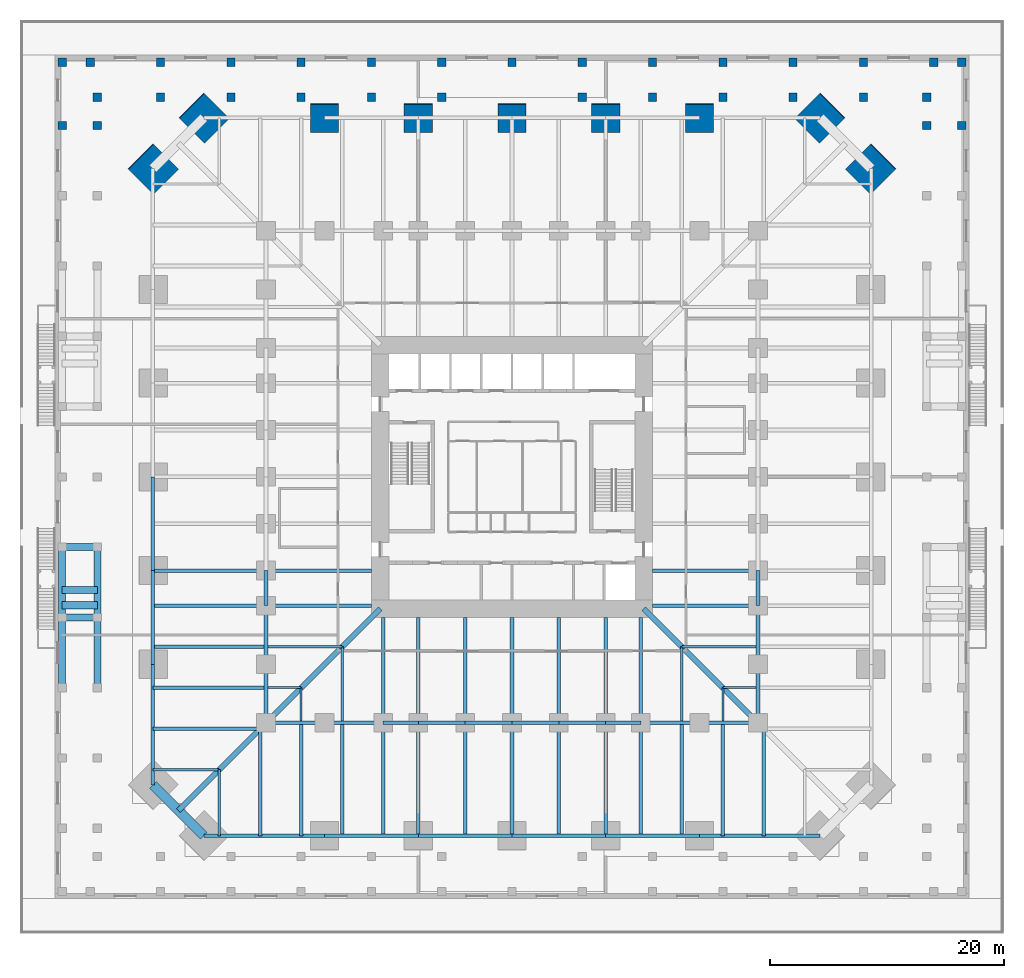
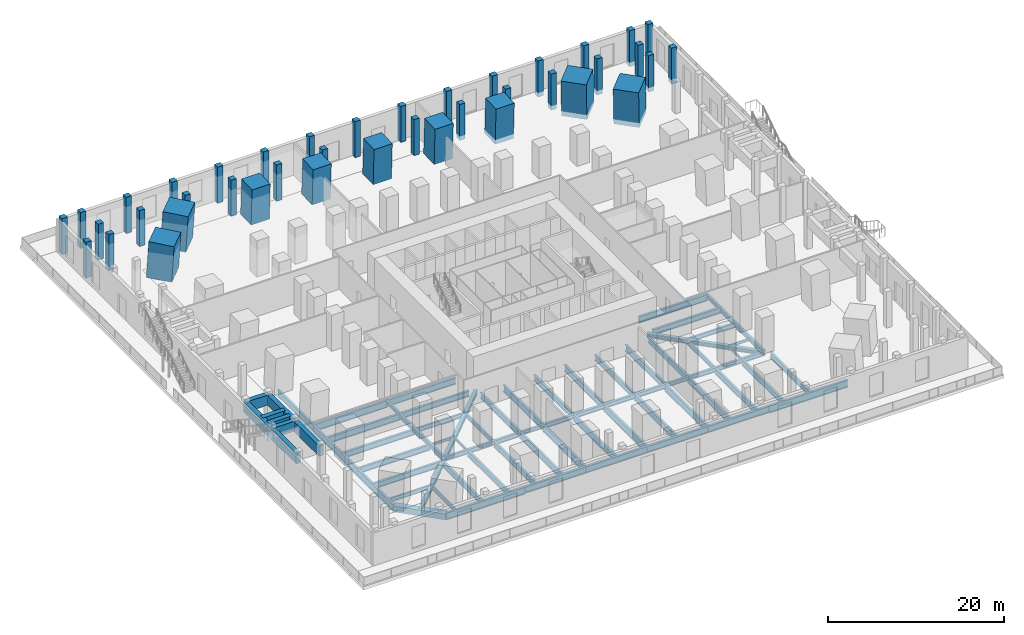
# One storey, part 8 of 22: 74 beams, 40 columns.
"""IFC4 building model written with IfcOpenShell, lengths in metres."""

from ifc_helpers import new_model, si_unit, direction, frame, origin, origin_2d, place, context, subcontext, project, spatial, rectangle, hollow_rectangle, i_section, extrude, material, material_profile, profile_set, type_object, element, save


model = new_model("IFC4")

# Units and contexts
model_context = context("Model", 3, precision=1e-05, world=origin(), true_north=direction((0.0, 1.0)))
body_context = subcontext(model_context, "Body", "Model", "MODEL_VIEW")
ifc_project = project(units=[si_unit("LENGTHUNIT", "METRE"), si_unit("AREAUNIT", "SQUARE_METRE"), si_unit("VOLUMEUNIT", "CUBIC_METRE"), si_unit("PLANEANGLEUNIT", "RADIAN"), si_unit("MASSUNIT", "GRAM", prefix="KILO")], contexts=[model_context])

# Site, building, storey
site_placement = place(None, origin())
site = spatial("IfcSite", under=ifc_project, at=site_placement, CompositionType="ELEMENT")
building_placement = place(site_placement, origin())
building = spatial("IfcBuilding", under=site, at=building_placement, Name="Peilmerk Tower", CompositionType="ELEMENT")
storey_placement = place(building_placement, frame((0.0, 0.0, 6.0)))
storey = spatial("IfcBuildingStorey", under=building, at=storey_placement, Name="L01", CompositionType="ELEMENT", Elevation=6.0)

# Columns
ifc_material_1 = material(Name="Concrete C90/105", Category="concrete")
ifc_material_profile_1 = material_profile(ifc_material_1, rectangle(XDim=3.0, YDim=3.0, at=origin_2d()), Name="RC 3000x3000")
ifc_profile_set_1 = profile_set([ifc_material_profile_1], Name="Concrete C90/105")
column_type_1 = type_object("IfcColumnType", Name="MC1 3000x3000 encased mega column", PredefinedType="COLUMN", material=ifc_profile_set_1)
for number, where, z_axis, x_axis, name in (
    (1, (26.304931640625, 30.65478515625, 0.0), (-0.040266583883, -0.040266583883, 0.998377285621), (0.707106781187, -0.707106781187, 0.0), "Mega column MC1 NE_N L01"),
    (2, (30.65478515625, 26.304931640625, 0.0), (-0.040266583883, -0.040266583883, 0.998377285621), (0.707106781187, -0.707106781187, 0.0), "Mega column MC1 NE_E L01"),
    (3, (-30.65478515625, 26.304931640625, 0.0), (0.040266583883, -0.040266583883, 0.998377285621), (0.707106781187, 0.707106781187, 0.0), "Mega column MC1 NW_W L01"),
    (4, (-26.304931640625, 30.65478515625, 0.0), (0.040266583883, -0.040266583883, 0.998377285621), (0.707106781187, 0.707106781187, 0.0), "Mega column MC1 NW_N L01"),
):
    element("IfcColumn", number, at=place(storey_placement, frame(where, z_axis=z_axis, x_axis=x_axis)), inside=storey, type_object=column_type_1, Name=name, PredefinedType="COLUMN", context=body_context, shape_type="SweptSolid", body=[
        extrude(rectangle(XDim=3.0, YDim=3.0, at=origin_2d()), origin(), (0.0, 0.0, 1.0), 5.008056640625),
    ])
ifc_material_2 = material(Name="Concrete C55/67", Category="concrete")
ifc_material_profile_2 = material_profile(ifc_material_2, rectangle(XDim=0.699951171875, YDim=0.699951171875, at=origin_2d()), Name="RC 700x700")
ifc_profile_set_2 = profile_set([ifc_material_profile_2], Name="Concrete C55/67")
column_type_2 = type_object("IfcColumnType", Name="PC1 700x700 podium column", PredefinedType="COLUMN", material=ifc_profile_set_2)
for number, where, z_axis, x_axis, name in (
    (5, (-35.39990234375, 30.0, 0.0), (0.0, 0.0, 1.0), (1.0, 0.0, 0.0), "Podium column ring A L01"),
    (6, (-35.39990234375, 32.39990234375, 0.0), (0.0, 0.0, 1.0), (1.0, 0.0, 0.0), "Podium column ring A L01"),
    (7, (-30.0, 32.39990234375, 0.0), (0.0, 0.0, 1.0), (1.0, 0.0, 0.0), "Podium column ring A L01"),
    (8, (-24.0, 32.39990234375, 0.0), (0.0, 0.0, 1.0), (1.0, 0.0, 0.0), "Podium column ring A L01"),
    (9, (-18.0, 32.39990234375, 0.0), (0.0, 0.0, 1.0), (1.0, 0.0, 0.0), "Podium column ring A L01"),
    (10, (-12.0, 32.39990234375, 0.0), (0.0, 0.0, 1.0), (1.0, 0.0, 0.0), "Podium column ring A L01"),
    (11, (-6.0, 32.39990234375, 0.0), (0.0, 0.0, 1.0), (1.0, 0.0, 0.0), "Podium column ring A L01"),
    (12, (6.0, 32.39990234375, 0.0), (0.0, 0.0, 1.0), (1.0, 0.0, 0.0), "Podium column ring A L01"),
    (13, (12.0, 32.39990234375, 0.0), (0.0, 0.0, 1.0), (1.0, 0.0, 0.0), "Podium column ring A L01"),
    (14, (18.0, 32.39990234375, 0.0), (0.0, 0.0, 1.0), (1.0, 0.0, 0.0), "Podium column ring A L01"),
    (15, (24.0, 32.39990234375, 0.0), (0.0, 0.0, 1.0), (1.0, 0.0, 0.0), "Podium column ring A L01"),
    (16, (30.0, 32.39990234375, 0.0), (0.0, 0.0, 1.0), (1.0, 0.0, 0.0), "Podium column ring A L01"),
    (17, (35.39990234375, 30.0, 0.0), (0.0, 0.0, 1.0), (1.0, 0.0, 0.0), "Podium column ring A L01"),
    (18, (35.39990234375, 32.39990234375, 0.0), (0.0, 0.0, 1.0), (1.0, 0.0, 0.0), "Podium column ring A L01"),
    (19, (-38.39990234375, 30.0, 0.0), (0.0, 0.0, 1.0), (1.0, 0.0, 0.0), "Podium column ring B L01"),
    (20, (-38.39990234375, 35.39990234375, 0.0), (0.0, 0.0, 1.0), (1.0, 0.0, 0.0), "Podium column ring B L01"),
    (21, (-36.0, 35.39990234375, 0.0), (0.0, 0.0, 1.0), (1.0, 0.0, 0.0), "Podium column ring B L01"),
    (22, (-30.0, 35.39990234375, 0.0), (0.0, 0.0, 1.0), (1.0, 0.0, 0.0), "Podium column ring B L01"),
    (23, (-24.0, 35.39990234375, 0.0), (0.0, 0.0, 1.0), (1.0, 0.0, 0.0), "Podium column ring B L01"),
    (24, (-18.0, 35.39990234375, 0.0), (0.0, 0.0, 1.0), (1.0, 0.0, 0.0), "Podium column ring B L01"),
    (25, (-12.0, 35.39990234375, 0.0), (0.0, 0.0, 1.0), (1.0, 0.0, 0.0), "Podium column ring B L01"),
    (26, (-6.0, 35.39990234375, 0.0), (0.0, 0.0, 1.0), (1.0, 0.0, 0.0), "Podium column ring B L01"),
    (27, (0.0, 35.39990234375, 0.0), (0.0, 0.0, 1.0), (1.0, 0.0, 0.0), "Podium column ring B L01"),
    (28, (6.0, 35.39990234375, 0.0), (0.0, 0.0, 1.0), (1.0, 0.0, 0.0), "Podium column ring B L01"),
    (29, (12.0, 35.39990234375, 0.0), (0.0, 0.0, 1.0), (1.0, 0.0, 0.0), "Podium column ring B L01"),
    (30, (18.0, 35.39990234375, 0.0), (0.0, 0.0, 1.0), (1.0, 0.0, 0.0), "Podium column ring B L01"),
    (31, (24.0, 35.39990234375, 0.0), (0.0, 0.0, 1.0), (1.0, 0.0, 0.0), "Podium column ring B L01"),
    (32, (30.0, 35.39990234375, 0.0), (0.0, 0.0, 1.0), (1.0, 0.0, 0.0), "Podium column ring B L01"),
    (33, (36.0, 35.39990234375, 0.0), (0.0, 0.0, 1.0), (1.0, 0.0, 0.0), "Podium column ring B L01"),
    (34, (38.39990234375, 30.0, 0.0), (0.0, 0.0, 1.0), (1.0, 0.0, 0.0), "Podium column ring B L01"),
    (35, (38.39990234375, 35.39990234375, 0.0), (0.0, 0.0, 1.0), (1.0, 0.0, 0.0), "Podium column ring B L01"),
):
    element("IfcColumn", number, at=place(storey_placement, frame(where, z_axis=z_axis, x_axis=x_axis)), inside=storey, type_object=column_type_2, Name=name, PredefinedType="COLUMN", context=body_context, shape_type="SweptSolid", body=[
        extrude(rectangle(XDim=0.699951171875, YDim=0.699951171875, at=origin_2d()), origin(), (0.0, 0.0, 1.0), 5.0),
    ])
ifc_material_profile_3 = material_profile(ifc_material_1, rectangle(XDim=2.39990234375, YDim=2.39990234375, at=origin_2d()), Name="RC 2400x2400")
ifc_profile_set_3 = profile_set([ifc_material_profile_3], Name="Concrete C90/105")
column_type_3 = type_object("IfcColumnType", Name="SC1 2400x2400 encased perimeter column", PredefinedType="COLUMN", material=ifc_profile_set_3)
for number, where, z_axis, x_axis, name in (
    (36, (0.0, 30.65478515625, 0.0), (0.0, -0.040299267708, 0.999187654559), (1.0, 0.0, 0.0), "Perimeter column N+0 L01"),
    (37, (8.0, 30.65478515625, 0.0), (0.0, -0.040299267708, 0.999187654559), (1.0, 0.0, 0.0), "Perimeter column N-8 L01"),
    (38, (-8.0, 30.65478515625, 0.0), (0.0, -0.040299267708, 0.999187654559), (1.0, 0.0, 0.0), "Perimeter column N+8 L01"),
    (39, (16.0, 30.65478515625, 0.0), (0.0, -0.040299267708, 0.999187654559), (1.0, 0.0, 0.0), "Perimeter column N-16 L01"),
    (40, (-16.0, 30.65478515625, 0.0), (0.0, -0.040299267708, 0.999187654559), (1.0, 0.0, 0.0), "Perimeter column N+16 L01"),
):
    element("IfcColumn", number, at=place(storey_placement, frame(where, z_axis=z_axis, x_axis=x_axis)), inside=storey, type_object=column_type_3, Name=name, PredefinedType="COLUMN", context=body_context, shape_type="SweptSolid", body=[
        extrude(rectangle(XDim=2.39990234375, YDim=2.39990234375, at=origin_2d()), origin(), (0.0, 0.0, 1.0), 5.004150390625),
    ])

# Beams
ifc_material_3 = material(Name="Steel S355", Category="steel")
ifc_material_profile_4 = material_profile(ifc_material_3, i_section(OverallWidth=0.219970703125, OverallDepth=0.60009765625, WebThickness=0.011962890625, FlangeThickness=0.01904296875, at=origin_2d()), Name="IPE 600")
ifc_profile_set_4 = profile_set([ifc_material_profile_4], Name="Steel S355")
beam_type_1 = type_object("IfcBeamType", Name="B10 IPE 600 floor beam", PredefinedType="BEAM", material=ifc_profile_set_4)
for number, where, z_axis, x_axis, name in (
    (41, (14.5, -14.5, -0.5), (0.0, -1.0, 0.0), (1.0, 0.0, 0.0), "Floor beam L01"),
    (42, (14.5, -14.5, -0.5), (1.0, 0.0, 0.0), (0.0, 1.0, 0.0), "Floor beam L01"),
    (43, (-14.5, -14.5, -0.5), (0.0, -1.0, 0.0), (1.0, 0.0, 0.0), "Floor beam L01"),
    (44, (-14.5, -14.5, -0.5), (-1.0, 0.0, 0.0), (0.0, -1.0, 0.0), "Floor beam L01"),
):
    element("IfcBeam", number, at=place(storey_placement, frame(where, z_axis=z_axis, x_axis=x_axis)), inside=storey, type_object=beam_type_1, Name=name, PredefinedType="BEAM", context=body_context, shape_type="SweptSolid", body=[
        extrude(i_section(OverallWidth=0.219970703125, OverallDepth=0.60009765625, WebThickness=0.011962890625, FlangeThickness=0.01904296875, at=origin_2d()), origin(), (0.0, 0.0, 1.0), 6.347412109375),
    ])
ifc_material_profile_5 = material_profile(ifc_material_3, i_section(OverallWidth=0.169921875, OverallDepth=0.360107421875, WebThickness=0.008056640625, FlangeThickness=0.0126953125, at=origin_2d()), Name="IPE 360")
ifc_profile_set_5 = profile_set([ifc_material_profile_5], Name="Steel S355")
beam_type_2 = type_object("IfcBeamType", Name="B11 IPE 360 floor beam", PredefinedType="BEAM", material=ifc_profile_set_5)
for number, where, z_axis, x_axis, name in (
    (45, (18.0, -18.0, -0.3798828125), (0.0, -1.0, 0.0), (1.0, 0.0, 0.0), "Floor beam L01"),
    (46, (18.0, -18.0, -0.3798828125), (1.0, 0.0, 0.0), (0.0, 1.0, 0.0), "Floor beam L01"),
    (47, (-18.0, -18.0, -0.3798828125), (0.0, -1.0, 0.0), (1.0, 0.0, 0.0), "Floor beam L01"),
    (48, (-18.0, -18.0, -0.3798828125), (-1.0, 0.0, 0.0), (0.0, -1.0, 0.0), "Floor beam L01"),
):
    element("IfcBeam", number, at=place(storey_placement, frame(where, z_axis=z_axis, x_axis=x_axis)), inside=storey, type_object=beam_type_2, Name=name, PredefinedType="BEAM", context=body_context, shape_type="SweptSolid", body=[
        extrude(i_section(OverallWidth=0.169921875, OverallDepth=0.360107421875, WebThickness=0.008056640625, FlangeThickness=0.0126953125, at=origin_2d()), origin(), (0.0, 0.0, 1.0), 2.847412109375),
    ])
ifc_material_profile_6 = material_profile(ifc_material_3, i_section(OverallWidth=0.2099609375, OverallDepth=0.550048828125, WebThickness=0.010986328125, FlangeThickness=0.01708984375, at=origin_2d()), Name="IPE 550")
ifc_profile_set_6 = profile_set([ifc_material_profile_6], Name="Steel S355")
beam_type_3 = type_object("IfcBeamType", Name="B12 IPE 550 floor beam", PredefinedType="BEAM", material=ifc_profile_set_6)
for number, where, z_axis, x_axis, name in (
    (49, (-25.0, -25.0, -0.47509765625), (0.0, -1.0, 0.0), (1.0, 0.0, 0.0), "Floor beam L01"),
    (50, (-25.0, -25.0, -0.47509765625), (-1.0, 0.0, 0.0), (0.0, -1.0, 0.0), "Floor beam L01"),
):
    element("IfcBeam", number, at=place(storey_placement, frame(where, z_axis=z_axis, x_axis=x_axis)), inside=storey, type_object=beam_type_3, Name=name, PredefinedType="BEAM", context=body_context, shape_type="SweptSolid", body=[
        extrude(i_section(OverallWidth=0.2099609375, OverallDepth=0.550048828125, WebThickness=0.010986328125, FlangeThickness=0.01708984375, at=origin_2d()), origin(), (0.0, 0.0, 1.0), 5.65478515625),
    ])
ifc_material_profile_7 = material_profile(ifc_material_3, i_section(OverallWidth=0.300048828125, OverallDepth=1.0, WebThickness=0.01904296875, FlangeThickness=0.035888671875, at=origin_2d()), Name="HEB 1000")
ifc_profile_set_7 = profile_set([ifc_material_profile_7], Name="Steel S355")
beam_type_4 = type_object("IfcBeamType", Name="B13 HEB 1000 edge beam", PredefinedType="SPANDREL", material=ifc_profile_set_7)
for number, where, z_axis, x_axis, name in (
    (51, (-26.304931640625, -30.65478515625, -0.699951171875), (1.0, 0.0, 0.0), (0.0, 1.0, 0.0), "Edge beam L01"),
    (52, (16.0, -30.65478515625, -0.699951171875), (1.0, 0.0, 0.0), (0.0, 1.0, 0.0), "Edge beam L01"),
    (53, (-30.65478515625, -16.0, -0.699951171875), (0.0, -1.0, 0.0), (1.0, 0.0, 0.0), "Edge beam L01"),
):
    element("IfcBeam", number, at=place(storey_placement, frame(where, z_axis=z_axis, x_axis=x_axis)), inside=storey, type_object=beam_type_4, Name=name, PredefinedType="SPANDREL", context=body_context, shape_type="SweptSolid", body=[
        extrude(i_section(OverallWidth=0.300048828125, OverallDepth=1.0, WebThickness=0.01904296875, FlangeThickness=0.035888671875, at=origin_2d()), origin(), (0.0, 0.0, 1.0), 10.304931640625),
    ])
ifc_material_profile_8 = material_profile(ifc_material_3, i_section(OverallWidth=0.300048828125, OverallDepth=0.989990234375, WebThickness=0.0166015625, FlangeThickness=0.031005859375, at=origin_2d()), Name="HEA 1000")
ifc_profile_set_8 = profile_set([ifc_material_profile_8], Name="Steel S355")
beam_type_5 = type_object("IfcBeamType", Name="B14 HEA 1000 floor girder", PredefinedType="BEAM", material=ifc_profile_set_8)
for number, where, z_axis, x_axis, name in (
    (54, (-8.0, -21.0, -0.695068359375), (0.0, -1.0, 0.0), (1.0, 0.0, 0.0), "Floor girder L01"),
    (55, (0.0, -21.0, -0.695068359375), (0.0, -1.0, 0.0), (1.0, 0.0, 0.0), "Floor girder L01"),
    (56, (8.0, -21.0, -0.695068359375), (0.0, -1.0, 0.0), (1.0, 0.0, 0.0), "Floor girder L01"),
    (57, (-21.0, -8.0, -0.695068359375), (-1.0, 0.0, 0.0), (0.0, -1.0, 0.0), "Floor girder L01"),
):
    element("IfcBeam", number, at=place(storey_placement, frame(where, z_axis=z_axis, x_axis=x_axis)), inside=storey, type_object=beam_type_5, Name=name, PredefinedType="BEAM", context=body_context, shape_type="SweptSolid", body=[
        extrude(i_section(OverallWidth=0.300048828125, OverallDepth=0.989990234375, WebThickness=0.0166015625, FlangeThickness=0.031005859375, at=origin_2d()), origin(), (0.0, 0.0, 1.0), 9.65478515625),
    ])
ifc_material_profile_9 = material_profile(ifc_material_3, i_section(OverallWidth=0.302001953125, OverallDepth=0.909912109375, WebThickness=0.02099609375, FlangeThickness=0.0400390625, at=origin_2d()), Name="HEM 900")
ifc_profile_set_9 = profile_set([ifc_material_profile_9], Name="Steel S355")
beam_type_6 = type_object("IfcBeamType", Name="B2 HEM 900 edge beam", PredefinedType="SPANDREL", material=ifc_profile_set_9)
for number, where, z_axis, x_axis, name in (
    (58, (-16.0, -30.65478515625, -0.655029296875), (1.0, 0.0, 0.0), (0.0, 1.0, 0.0), "Edge beam L01"),
    (59, (-8.0, -30.65478515625, -0.655029296875), (1.0, 0.0, 0.0), (0.0, 1.0, 0.0), "Edge beam L01"),
    (60, (0.0, -30.65478515625, -0.655029296875), (1.0, 0.0, 0.0), (0.0, 1.0, 0.0), "Edge beam L01"),
    (61, (8.0, -30.65478515625, -0.655029296875), (1.0, 0.0, 0.0), (0.0, 1.0, 0.0), "Edge beam L01"),
    (62, (-30.65478515625, 0.0, -0.655029296875), (0.0, -1.0, 0.0), (1.0, 0.0, 0.0), "Edge beam L01"),
    (63, (-30.65478515625, -8.0, -0.655029296875), (0.0, -1.0, 0.0), (1.0, 0.0, 0.0), "Edge beam L01"),
):
    element("IfcBeam", number, at=place(storey_placement, frame(where, z_axis=z_axis, x_axis=x_axis)), inside=storey, type_object=beam_type_6, Name=name, PredefinedType="SPANDREL", context=body_context, shape_type="SweptSolid", body=[
        extrude(i_section(OverallWidth=0.302001953125, OverallDepth=0.909912109375, WebThickness=0.02099609375, FlangeThickness=0.0400390625, at=origin_2d()), origin(), (0.0, 0.0, 1.0), 8.0),
    ])
ifc_material_profile_10 = material_profile(ifc_material_3, i_section(OverallWidth=0.300048828125, OverallDepth=0.7900390625, WebThickness=0.014892578125, FlangeThickness=0.028076171875, at=origin_2d()), Name="HEA 800")
ifc_profile_set_10 = profile_set([ifc_material_profile_10], Name="Steel S355")
beam_type_7 = type_object("IfcBeamType", Name="B3 HEA 800 floor beam", PredefinedType="BEAM", material=ifc_profile_set_10)
for number, where, z_axis, x_axis, name in (
    (64, (12.0, -11.0, -0.594970703125), (1.0, 0.0, 0.0), (0.0, 1.0, 0.0), "Floor beam L01"),
    (65, (-11.0, -12.0, -0.594970703125), (0.0, -1.0, 0.0), (1.0, 0.0, 0.0), "Floor beam L01"),
    (66, (-4.0, -12.0, -0.594970703125), (0.0, -1.0, 0.0), (1.0, 0.0, 0.0), "Floor beam L01"),
    (67, (4.0, -12.0, -0.594970703125), (0.0, -1.0, 0.0), (1.0, 0.0, 0.0), "Floor beam L01"),
    (68, (11.0, -12.0, -0.594970703125), (0.0, -1.0, 0.0), (1.0, 0.0, 0.0), "Floor beam L01"),
    (69, (-12.0, -11.0, -0.594970703125), (-1.0, 0.0, 0.0), (0.0, -1.0, 0.0), "Floor beam L01"),
):
    element("IfcBeam", number, at=place(storey_placement, frame(where, z_axis=z_axis, x_axis=x_axis)), inside=storey, type_object=beam_type_7, Name=name, PredefinedType="BEAM", context=body_context, shape_type="SweptSolid", body=[
        extrude(i_section(OverallWidth=0.300048828125, OverallDepth=0.7900390625, WebThickness=0.014892578125, FlangeThickness=0.028076171875, at=origin_2d()), origin(), (0.0, 0.0, 1.0), 9.0),
    ])
for number, where, z_axis, x_axis, name in (
    (70, (14.5, -21.152587890625, -0.594970703125), (0.0, -1.0, 0.0), (1.0, 0.0, 0.0), "Floor beam L01"),
    (71, (18.0, -21.152587890625, -0.594970703125), (0.0, -1.0, 0.0), (1.0, 0.0, 0.0), "Floor beam L01"),
):
    element("IfcBeam", number, at=place(storey_placement, frame(where, z_axis=z_axis, x_axis=x_axis)), inside=storey, type_object=beam_type_7, Name=name, PredefinedType="BEAM", context=body_context, shape_type="SweptSolid", body=[
        extrude(i_section(OverallWidth=0.300048828125, OverallDepth=0.7900390625, WebThickness=0.014892578125, FlangeThickness=0.028076171875, at=origin_2d()), origin(), (0.0, 0.0, 1.0), 9.502197265625),
    ])
beam_1_placement = place(storey_placement, frame((21.5, -21.5, -0.594970703125), z_axis=(0.0, -1.0, 0.0), x_axis=(1.0, 0.0, 0.0)))
element("IfcBeam", 72, at=beam_1_placement, inside=storey, type_object=beam_type_7, Name="Floor beam L01", PredefinedType="BEAM", context=body_context, shape_type="SweptSolid", body=[
    extrude(i_section(OverallWidth=0.300048828125, OverallDepth=0.7900390625, WebThickness=0.014892578125, FlangeThickness=0.028076171875, at=origin_2d()), origin(), (0.0, 0.0, 1.0), 9.15478515625),
])
for number, where, z_axis, x_axis, name in (
    (73, (-14.5, -21.152587890625, -0.594970703125), (0.0, -1.0, 0.0), (1.0, 0.0, 0.0), "Floor beam L01"),
    (74, (-21.152587890625, -14.5, -0.594970703125), (-1.0, 0.0, 0.0), (0.0, -1.0, 0.0), "Floor beam L01"),
    (75, (-18.0, -21.152587890625, -0.594970703125), (0.0, -1.0, 0.0), (1.0, 0.0, 0.0), "Floor beam L01"),
    (76, (-21.152587890625, -18.0, -0.594970703125), (-1.0, 0.0, 0.0), (0.0, -1.0, 0.0), "Floor beam L01"),
):
    element("IfcBeam", number, at=place(storey_placement, frame(where, z_axis=z_axis, x_axis=x_axis)), inside=storey, type_object=beam_type_7, Name=name, PredefinedType="BEAM", context=body_context, shape_type="SweptSolid", body=[
        extrude(i_section(OverallWidth=0.300048828125, OverallDepth=0.7900390625, WebThickness=0.014892578125, FlangeThickness=0.028076171875, at=origin_2d()), origin(), (0.0, 0.0, 1.0), 9.502197265625),
    ])
for number, where, z_axis, x_axis, name in (
    (77, (-21.5, -21.5, -0.594970703125), (0.0, -1.0, 0.0), (1.0, 0.0, 0.0), "Floor beam L01"),
    (78, (-21.5, -21.5, -0.594970703125), (-1.0, 0.0, 0.0), (0.0, -1.0, 0.0), "Floor beam L01"),
):
    element("IfcBeam", number, at=place(storey_placement, frame(where, z_axis=z_axis, x_axis=x_axis)), inside=storey, type_object=beam_type_7, Name=name, PredefinedType="BEAM", context=body_context, shape_type="SweptSolid", body=[
        extrude(i_section(OverallWidth=0.300048828125, OverallDepth=0.7900390625, WebThickness=0.014892578125, FlangeThickness=0.028076171875, at=origin_2d()), origin(), (0.0, 0.0, 1.0), 9.15478515625),
    ])
ifc_material_profile_11 = material_profile(ifc_material_3, i_section(OverallWidth=0.300048828125, OverallDepth=0.889892578125, WebThickness=0.01611328125, FlangeThickness=0.030029296875, at=origin_2d()), Name="HEA 900")
ifc_profile_set_11 = profile_set([ifc_material_profile_11], Name="Steel S355")
beam_type_8 = type_object("IfcBeamType", Name="B4 HEA 900 floor beam", PredefinedType="BEAM", material=ifc_profile_set_11)
beam_2_placement = place(storey_placement, frame((12.0, -8.0, -0.64501953125), z_axis=(1.0, 0.0, 0.0), x_axis=(0.0, 1.0, 0.0)))
element("IfcBeam", 79, at=beam_2_placement, inside=storey, type_object=beam_type_8, Name="Floor girder L01", PredefinedType="BEAM", context=body_context, shape_type="SweptSolid", body=[
    extrude(i_section(OverallWidth=0.300048828125, OverallDepth=0.889892578125, WebThickness=0.01611328125, FlangeThickness=0.030029296875, at=origin_2d()), origin(), (0.0, 0.0, 1.0), 9.0),
])
beam_3_placement = place(storey_placement, frame((-11.0, -21.0, -0.64501953125), z_axis=(0.0, -1.0, 0.0), x_axis=(1.0, 0.0, 0.0)))
element("IfcBeam", 80, at=beam_3_placement, inside=storey, type_object=beam_type_8, Name="Floor beam L01", PredefinedType="BEAM", context=body_context, shape_type="SweptSolid", body=[
    extrude(i_section(OverallWidth=0.300048828125, OverallDepth=0.889892578125, WebThickness=0.01611328125, FlangeThickness=0.030029296875, at=origin_2d()), origin(), (0.0, 0.0, 1.0), 9.65478515625),
])
beam_4_placement = place(storey_placement, frame((-8.0, -12.0, -0.64501953125), z_axis=(0.0, -1.0, 0.0), x_axis=(1.0, 0.0, 0.0)))
element("IfcBeam", 81, at=beam_4_placement, inside=storey, type_object=beam_type_8, Name="Floor girder L01", PredefinedType="BEAM", context=body_context, shape_type="SweptSolid", body=[
    extrude(i_section(OverallWidth=0.300048828125, OverallDepth=0.889892578125, WebThickness=0.01611328125, FlangeThickness=0.030029296875, at=origin_2d()), origin(), (0.0, 0.0, 1.0), 9.0),
])
beam_5_placement = place(storey_placement, frame((-4.0, -21.0, -0.64501953125), z_axis=(0.0, -1.0, 0.0), x_axis=(1.0, 0.0, 0.0)))
element("IfcBeam", 82, at=beam_5_placement, inside=storey, type_object=beam_type_8, Name="Floor beam L01", PredefinedType="BEAM", context=body_context, shape_type="SweptSolid", body=[
    extrude(i_section(OverallWidth=0.300048828125, OverallDepth=0.889892578125, WebThickness=0.01611328125, FlangeThickness=0.030029296875, at=origin_2d()), origin(), (0.0, 0.0, 1.0), 9.65478515625),
])
beam_6_placement = place(storey_placement, frame((0.0, -12.0, -0.64501953125), z_axis=(0.0, -1.0, 0.0), x_axis=(1.0, 0.0, 0.0)))
element("IfcBeam", 83, at=beam_6_placement, inside=storey, type_object=beam_type_8, Name="Floor girder L01", PredefinedType="BEAM", context=body_context, shape_type="SweptSolid", body=[
    extrude(i_section(OverallWidth=0.300048828125, OverallDepth=0.889892578125, WebThickness=0.01611328125, FlangeThickness=0.030029296875, at=origin_2d()), origin(), (0.0, 0.0, 1.0), 9.0),
])
beam_7_placement = place(storey_placement, frame((4.0, -21.0, -0.64501953125), z_axis=(0.0, -1.0, 0.0), x_axis=(1.0, 0.0, 0.0)))
element("IfcBeam", 84, at=beam_7_placement, inside=storey, type_object=beam_type_8, Name="Floor beam L01", PredefinedType="BEAM", context=body_context, shape_type="SweptSolid", body=[
    extrude(i_section(OverallWidth=0.300048828125, OverallDepth=0.889892578125, WebThickness=0.01611328125, FlangeThickness=0.030029296875, at=origin_2d()), origin(), (0.0, 0.0, 1.0), 9.65478515625),
])
beam_8_placement = place(storey_placement, frame((8.0, -12.0, -0.64501953125), z_axis=(0.0, -1.0, 0.0), x_axis=(1.0, 0.0, 0.0)))
element("IfcBeam", 85, at=beam_8_placement, inside=storey, type_object=beam_type_8, Name="Floor girder L01", PredefinedType="BEAM", context=body_context, shape_type="SweptSolid", body=[
    extrude(i_section(OverallWidth=0.300048828125, OverallDepth=0.889892578125, WebThickness=0.01611328125, FlangeThickness=0.030029296875, at=origin_2d()), origin(), (0.0, 0.0, 1.0), 9.0),
])
beam_9_placement = place(storey_placement, frame((11.0, -21.0, -0.64501953125), z_axis=(0.0, -1.0, 0.0), x_axis=(1.0, 0.0, 0.0)))
element("IfcBeam", 86, at=beam_9_placement, inside=storey, type_object=beam_type_8, Name="Floor beam L01", PredefinedType="BEAM", context=body_context, shape_type="SweptSolid", body=[
    extrude(i_section(OverallWidth=0.300048828125, OverallDepth=0.889892578125, WebThickness=0.01611328125, FlangeThickness=0.030029296875, at=origin_2d()), origin(), (0.0, 0.0, 1.0), 9.65478515625),
])
beam_10_placement = place(storey_placement, frame((-12.0, -8.0, -0.64501953125), z_axis=(-1.0, 0.0, 0.0), x_axis=(0.0, -1.0, 0.0)))
element("IfcBeam", 87, at=beam_10_placement, inside=storey, type_object=beam_type_8, Name="Floor girder L01", PredefinedType="BEAM", context=body_context, shape_type="SweptSolid", body=[
    extrude(i_section(OverallWidth=0.300048828125, OverallDepth=0.889892578125, WebThickness=0.01611328125, FlangeThickness=0.030029296875, at=origin_2d()), origin(), (0.0, 0.0, 1.0), 9.0),
])
beam_11_placement = place(storey_placement, frame((-21.0, -11.0, -0.64501953125), z_axis=(-1.0, 0.0, 0.0), x_axis=(0.0, -1.0, 0.0)))
element("IfcBeam", 88, at=beam_11_placement, inside=storey, type_object=beam_type_8, Name="Floor beam L01", PredefinedType="BEAM", context=body_context, shape_type="SweptSolid", body=[
    extrude(i_section(OverallWidth=0.300048828125, OverallDepth=0.889892578125, WebThickness=0.01611328125, FlangeThickness=0.030029296875, at=origin_2d()), origin(), (0.0, 0.0, 1.0), 9.65478515625),
])
ifc_material_profile_12 = material_profile(ifc_material_3, i_section(OverallWidth=0.304931640625, OverallDepth=0.6201171875, WebThickness=0.02099609375, FlangeThickness=0.0400390625, at=origin_2d()), Name="HEM 600")
ifc_profile_set_12 = profile_set([ifc_material_profile_12], Name="Steel S355")
beam_type_9 = type_object("IfcBeamType", Name="B6 HEM 600 ring girder", PredefinedType="BEAM", material=ifc_profile_set_12)
for number, where, z_axis, x_axis, name in (
    (89, (21.0, -21.0, -0.510009765625), (0.0, 1.0, 0.0), (-1.0, 0.0, 0.0), "Ring girder L01"),
    (90, (21.0, -16.0, -0.510009765625), (0.0, 1.0, 0.0), (-1.0, 0.0, 0.0), "Ring girder L01"),
    (91, (-21.0, -21.0, -0.510009765625), (1.0, 0.0, 0.0), (0.0, 1.0, 0.0), "Ring girder L01"),
    (92, (-16.0, -21.0, -0.510009765625), (1.0, 0.0, 0.0), (0.0, 1.0, 0.0), "Ring girder L01"),
):
    element("IfcBeam", number, at=place(storey_placement, frame(where, z_axis=z_axis, x_axis=x_axis)), inside=storey, type_object=beam_type_9, Name=name, PredefinedType="BEAM", context=body_context, shape_type="SweptSolid", body=[
        extrude(i_section(OverallWidth=0.304931640625, OverallDepth=0.6201171875, WebThickness=0.02099609375, FlangeThickness=0.0400390625, at=origin_2d()), origin(), (0.0, 0.0, 1.0), 5.0),
    ])
for number, where, z_axis, x_axis, name in (
    (93, (-8.0, -21.0, -0.510009765625), (1.0, 0.0, 0.0), (0.0, 1.0, 0.0), "Ring girder L01"),
    (94, (-4.0, -21.0, -0.510009765625), (1.0, 0.0, 0.0), (0.0, 1.0, 0.0), "Ring girder L01"),
    (95, (0.0, -21.0, -0.510009765625), (1.0, 0.0, 0.0), (0.0, 1.0, 0.0), "Ring girder L01"),
    (96, (4.0, -21.0, -0.510009765625), (1.0, 0.0, 0.0), (0.0, 1.0, 0.0), "Ring girder L01"),
):
    element("IfcBeam", number, at=place(storey_placement, frame(where, z_axis=z_axis, x_axis=x_axis)), inside=storey, type_object=beam_type_9, Name=name, PredefinedType="BEAM", context=body_context, shape_type="SweptSolid", body=[
        extrude(i_section(OverallWidth=0.304931640625, OverallDepth=0.6201171875, WebThickness=0.02099609375, FlangeThickness=0.0400390625, at=origin_2d()), origin(), (0.0, 0.0, 1.0), 4.0),
    ])
for number, where, z_axis, x_axis, name in (
    (97, (11.0, -21.0, -0.510009765625), (1.0, 0.0, 0.0), (0.0, 1.0, 0.0), "Ring girder L01"),
    (98, (16.0, -21.0, -0.510009765625), (1.0, 0.0, 0.0), (0.0, 1.0, 0.0), "Ring girder L01"),
    (99, (-21.0, -11.0, -0.510009765625), (0.0, -1.0, 0.0), (1.0, 0.0, 0.0), "Ring girder L01"),
    (100, (-21.0, -16.0, -0.510009765625), (0.0, -1.0, 0.0), (1.0, 0.0, 0.0), "Ring girder L01"),
):
    element("IfcBeam", number, at=place(storey_placement, frame(where, z_axis=z_axis, x_axis=x_axis)), inside=storey, type_object=beam_type_9, Name=name, PredefinedType="BEAM", context=body_context, shape_type="SweptSolid", body=[
        extrude(i_section(OverallWidth=0.304931640625, OverallDepth=0.6201171875, WebThickness=0.02099609375, FlangeThickness=0.0400390625, at=origin_2d()), origin(), (0.0, 0.0, 1.0), 5.0),
    ])
ifc_material_profile_13 = material_profile(ifc_material_3, i_section(OverallWidth=0.305908203125, OverallDepth=0.52392578125, WebThickness=0.02099609375, FlangeThickness=0.0400390625, at=origin_2d()), Name="HEM 500")
ifc_profile_set_13 = profile_set([ifc_material_profile_13], Name="Steel S355")
beam_type_10 = type_object("IfcBeamType", Name="B7 HEM 500 ring girder", PredefinedType="BEAM", material=ifc_profile_set_13)
for number, where, z_axis, x_axis, name in (
    (101, (21.0, -11.0, -0.4619140625), (0.0, 1.0, 0.0), (-1.0, 0.0, 0.0), "Ring girder L01"),
    (102, (-11.0, -21.0, -0.4619140625), (1.0, 0.0, 0.0), (0.0, 1.0, 0.0), "Ring girder L01"),
    (103, (8.0, -21.0, -0.4619140625), (1.0, 0.0, 0.0), (0.0, 1.0, 0.0), "Ring girder L01"),
    (104, (-21.0, -8.0, -0.4619140625), (0.0, -1.0, 0.0), (1.0, 0.0, 0.0), "Ring girder L01"),
):
    element("IfcBeam", number, at=place(storey_placement, frame(where, z_axis=z_axis, x_axis=x_axis)), inside=storey, type_object=beam_type_10, Name=name, PredefinedType="BEAM", context=body_context, shape_type="SweptSolid", body=[
        extrude(i_section(OverallWidth=0.305908203125, OverallDepth=0.52392578125, WebThickness=0.02099609375, FlangeThickness=0.0400390625, at=origin_2d()), origin(), (0.0, 0.0, 1.0), 3.0),
    ])
ifc_material_4 = material(Name="Steel S460", Category="steel")
ifc_material_profile_14 = material_profile(ifc_material_4, hollow_rectangle(XDim=0.800048828125, YDim=0.800048828125, WallThickness=0.080078125, at=origin_2d()), Name="BOX 800x800x80")
ifc_profile_set_14 = profile_set([ifc_material_profile_14], Name="Steel S460")
beam_type_11 = type_object("IfcBeamType", Name="B8 BOX 800x800x80 notch beam", PredefinedType="SPANDREL", material=ifc_profile_set_14)
beam_12_placement = place(storey_placement, frame((-26.304931640625, -30.65478515625, -0.60009765625), z_axis=(-0.707106781187, 0.707106781187, 0.0), x_axis=(-0.707106781187, -0.707106781187, 0.0)))
element("IfcBeam", 105, at=beam_12_placement, inside=storey, type_object=beam_type_11, Name="Notch beam L01", PredefinedType="SPANDREL", context=body_context, shape_type="SweptSolid", body=[
    extrude(hollow_rectangle(XDim=0.800048828125, YDim=0.800048828125, WallThickness=0.080078125, at=origin_2d()), origin(), (0.0, 0.0, 1.0), 6.151611328125),
])
ifc_material_profile_15 = material_profile(ifc_material_4, i_section(OverallWidth=0.4541015625, OverallDepth=0.569091796875, WebThickness=0.077880859375, FlangeThickness=0.125, at=origin_2d()), Name="HD 400x1086")
ifc_profile_set_15 = profile_set([ifc_material_profile_15], Name="Steel S460")
beam_type_12 = type_object("IfcBeamType", Name="B9 HD 400x1086 corner girder", PredefinedType="BEAM", material=ifc_profile_set_15)
for number, where, z_axis, x_axis, name in (
    (106, (11.25, -11.25, -0.484619140625), (0.707106781187, -0.707106781187, 0.0), (0.707106781187, 0.707106781187, 0.0), "Corner girder L01"),
    (107, (-11.25, -11.25, -0.484619140625), (-0.707106781187, -0.707106781187, 0.0), (0.707106781187, -0.707106781187, 0.0), "Corner girder L01"),
):
    element("IfcBeam", number, at=place(storey_placement, frame(where, z_axis=z_axis, x_axis=x_axis)), inside=storey, type_object=beam_type_12, Name=name, PredefinedType="BEAM", context=body_context, shape_type="SweptSolid", body=[
        extrude(i_section(OverallWidth=0.4541015625, OverallDepth=0.569091796875, WebThickness=0.077880859375, FlangeThickness=0.125, at=origin_2d()), origin(), (0.0, 0.0, 1.0), 13.78857421875),
    ])
beam_13_placement = place(storey_placement, frame((-21.0, -21.0, -0.484619140625), z_axis=(-0.707106781187, -0.707106781187, 0.0), x_axis=(0.707106781187, -0.707106781187, 0.0)))
element("IfcBeam", 108, at=beam_13_placement, inside=storey, type_object=beam_type_12, Name="Corner girder L01", PredefinedType="BEAM", context=body_context, shape_type="SweptSolid", body=[
    extrude(i_section(OverallWidth=0.4541015625, OverallDepth=0.569091796875, WebThickness=0.077880859375, FlangeThickness=0.125, at=origin_2d()), origin(), (0.0, 0.0, 1.0), 10.577880859375),
])
ifc_material_5 = material(Name="Concrete C35/45", Category="concrete")
ifc_material_profile_16 = material_profile(ifc_material_5, rectangle(XDim=0.60009765625, YDim=1.39990234375, at=origin_2d()), Name="RC 600x1400")
ifc_profile_set_16 = profile_set([ifc_material_profile_16], Name="Concrete C35/45")
beam_type_13 = type_object("IfcBeamType", Name="TB1 600x1400 stair transfer beam", PredefinedType="BEAM", material=ifc_profile_set_16)
for number, where, z_axis, x_axis, name in (
    (109, (-35.39990234375, -6.0, 3.85009765625), (-1.0, 0.0, 0.0), (0.0, -1.0, 0.0), "External stair 6 transfer beam"),
    (110, (-35.39990234375, -12.0, 3.85009765625), (-1.0, 0.0, 0.0), (0.0, -1.0, 0.0), "External stair 6 transfer beam"),
):
    element("IfcBeam", number, at=place(storey_placement, frame(where, z_axis=z_axis, x_axis=x_axis)), inside=storey, type_object=beam_type_13, Name=name, PredefinedType="BEAM", context=body_context, shape_type="SweptSolid", body=[
        extrude(rectangle(XDim=0.60009765625, YDim=1.39990234375, at=origin_2d()), origin(), (0.0, 0.0, 1.0), 3.0),
    ])
for number, where, z_axis, x_axis, name in (
    (111, (-35.39990234375, -6.0, 3.85009765625), (0.0, -1.0, 0.0), (1.0, 0.0, 0.0), "External stair 6 transfer beam"),
    (112, (-38.39990234375, -6.0, 3.85009765625), (0.0, -1.0, 0.0), (1.0, 0.0, 0.0), "External stair 6 transfer beam"),
):
    element("IfcBeam", number, at=place(storey_placement, frame(where, z_axis=z_axis, x_axis=x_axis)), inside=storey, type_object=beam_type_13, Name=name, PredefinedType="BEAM", context=body_context, shape_type="SweptSolid", body=[
        extrude(rectangle(XDim=0.60009765625, YDim=1.39990234375, at=origin_2d()), origin(), (0.0, 0.0, 1.0), 12.0),
    ])
for number, where, z_axis, x_axis, name in (
    (113, (-35.39990234375, -10.9599609375, 3.85009765625), (-1.0, 0.0, 0.0), (0.0, -1.0, 0.0), "External stair 6 transfer beam"),
    (114, (-35.39990234375, -9.659912109375, 3.85009765625), (-1.0, 0.0, 0.0), (0.0, -1.0, 0.0), "External stair 6 transfer beam"),
):
    element("IfcBeam", number, at=place(storey_placement, frame(where, z_axis=z_axis, x_axis=x_axis)), inside=storey, type_object=beam_type_13, Name=name, PredefinedType="BEAM", context=body_context, shape_type="SweptSolid", body=[
        extrude(rectangle(XDim=0.60009765625, YDim=1.39990234375, at=origin_2d()), origin(), (0.0, 0.0, 1.0), 3.0),
    ])

save(model, "model.ifc")
